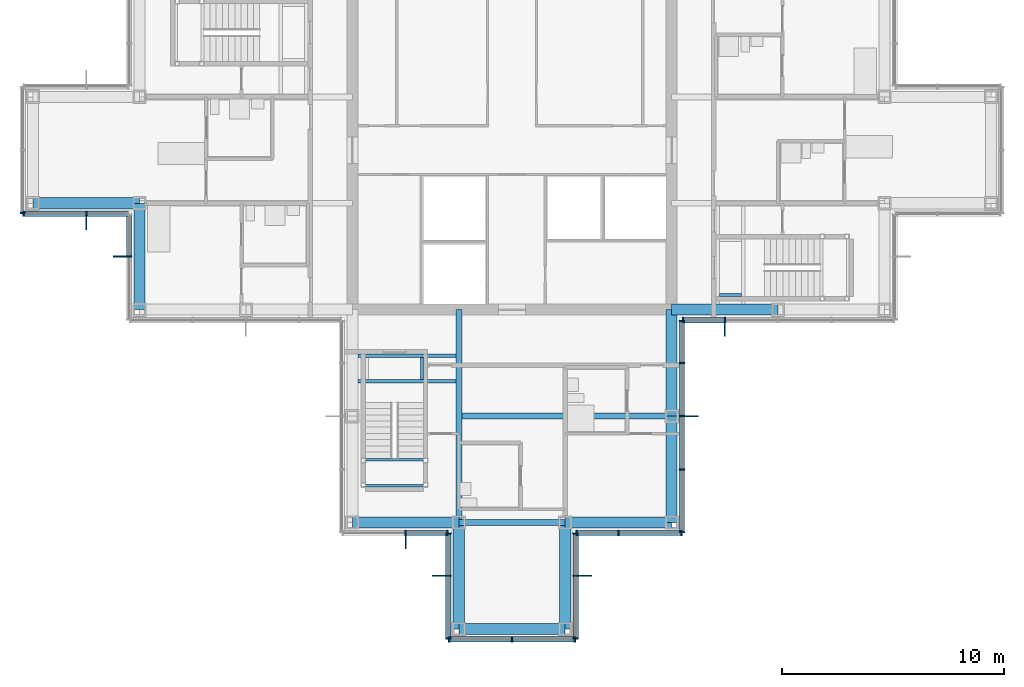
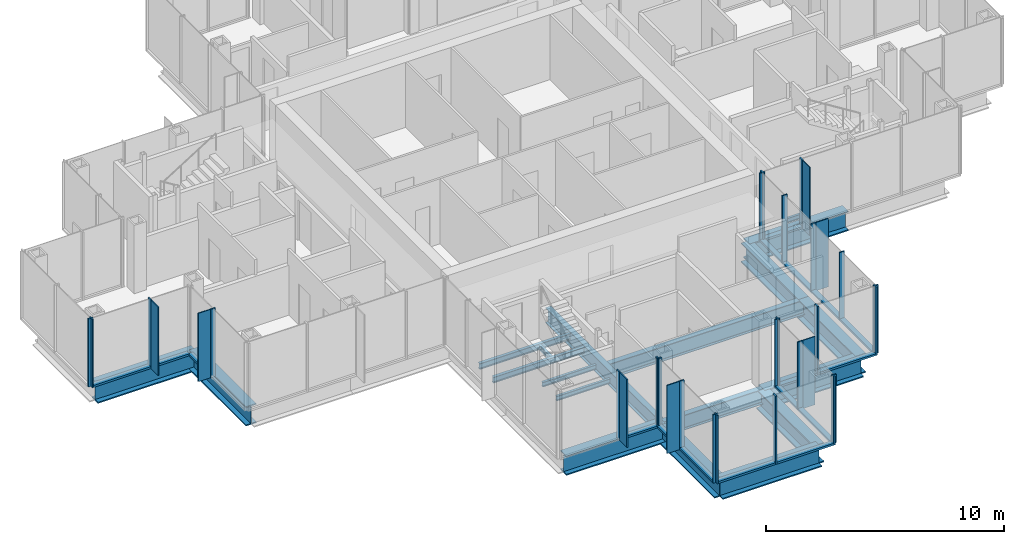
# One storey, part 6 of 17: 49 members, 19 beams, 10 elements without a shape of their own.
"""IFC4 building model written with IfcOpenShell, lengths in metres."""

from ifc_helpers import new_model, si_unit, direction, frame, origin, origin_2d, place, context, subcontext, project, spatial, rectangle, i_section, extrude, material, material_profile, profile_set, type_object, element, aggregate, save


model = new_model("IFC4")

# Units and contexts
model_context = context("Model", 3, precision=1e-05, world=origin(), true_north=direction((0.0, 1.0)))
body_context = subcontext(model_context, "Body", "Model", "MODEL_VIEW")
ifc_project = project(units=[si_unit("LENGTHUNIT", "METRE"), si_unit("AREAUNIT", "SQUARE_METRE"), si_unit("VOLUMEUNIT", "CUBIC_METRE"), si_unit("PLANEANGLEUNIT", "RADIAN"), si_unit("MASSUNIT", "GRAM", prefix="KILO")], contexts=[model_context])

# Site, building, storey
site_placement = place(None, origin())
site = spatial("IfcSite", under=ifc_project, at=site_placement, CompositionType="ELEMENT")
building_placement = place(site_placement, origin())
building = spatial("IfcBuilding", under=site, at=building_placement, Name="Kvirike Care Tower", CompositionType="ELEMENT")
storey_placement = place(building_placement, frame((0.0, 0.0, 172.5)))
storey = spatial("IfcBuildingStorey", under=building, at=storey_placement, Name="L47", CompositionType="ELEMENT", Elevation=172.5)

# Curtain wall, member
ifc_material_1 = material(Name="Anodised aluminium stick system", Category="aluminium")
curtain_wall_type = type_object("IfcCurtainWallType", Name="CW-C STICK CURTAIN WALL", PredefinedType="NOTDEFINED", material=ifc_material_1)
curtain_wall_1_placement = place(storey_placement, origin())
curtain_wall_1 = element("IfcCurtainWall", 1, at=curtain_wall_1_placement, inside=storey, type_object=curtain_wall_type, Name="Curtain wall L47 face 1", PredefinedType="NOTDEFINED")
ifc_material_2 = material(Name="Bronze anodised aluminium fin", Category="aluminium")
ifc_material_profile_1 = material_profile(ifc_material_2, rectangle(XDim=0.050048828125, YDim=0.60009765625, at=origin_2d()), Name="BRONZE FIN 600")
ifc_profile_set_1 = profile_set([ifc_material_profile_1], Name="Bronze anodised aluminium fin")
member_type_1 = type_object("IfcMemberType", Name="BRONZE FIN 600", PredefinedType="USERDEFINED", material=ifc_profile_set_1)
member_1_placement = place(storey_placement, frame((31.199951171875, 27.909912109375, 0.0), z_axis=(0.0, 0.0, 1.0), x_axis=(1.0, 0.0, 0.0)))
member_1 = element("IfcMember", 2, at=member_1_placement, type_object=member_type_1, Name="Bronze fin L47 face 1.2", ObjectType="FIN", PredefinedType="USERDEFINED", context=body_context, shape_type="SweptSolid", body=[
    extrude(rectangle(XDim=0.050048828125, YDim=0.60009765625, at=origin_2d()), origin(), (0.0, 0.0, 1.0), 3.5),
])

curtain_wall_2_placement = place(storey_placement, origin())
curtain_wall_2 = element("IfcCurtainWall", 3, at=curtain_wall_2_placement, inside=storey, type_object=curtain_wall_type, Name="Curtain wall L47 face 19", PredefinedType="NOTDEFINED")
member_2_placement = place(storey_placement, frame((2.39990234375, 32.7099609375, 0.0), z_axis=(0.0, 0.0, 1.0), x_axis=(1.0, 0.0, 0.0)))
member_2 = element("IfcMember", 4, at=member_2_placement, type_object=member_type_1, Name="Bronze fin L47 face 19.2", ObjectType="FIN", PredefinedType="USERDEFINED", context=body_context, shape_type="SweptSolid", body=[
    extrude(rectangle(XDim=0.050048828125, YDim=0.60009765625, at=origin_2d()), origin(), (0.0, 0.0, 1.0), 3.5),
])

curtain_wall_3_placement = place(storey_placement, origin())
curtain_wall_3 = element("IfcCurtainWall", 5, at=curtain_wall_3_placement, inside=storey, type_object=curtain_wall_type, Name="Curtain wall L47 face 20", PredefinedType="NOTDEFINED")
member_3_placement = place(storey_placement, frame((3.909912109375, 31.199951171875, 0.0), z_axis=(0.0, 0.0, 1.0), x_axis=(0.0, -1.0, 0.0)))
member_3 = element("IfcMember", 6, at=member_3_placement, type_object=member_type_1, Name="Bronze fin L47 face 20.2", ObjectType="FIN", PredefinedType="USERDEFINED", context=body_context, shape_type="SweptSolid", body=[
    extrude(rectangle(XDim=0.050048828125, YDim=0.60009765625, at=origin_2d()), origin(), (0.0, 0.0, 1.0), 3.5),
])

curtain_wall_4_placement = place(storey_placement, origin())
curtain_wall_4 = element("IfcCurtainWall", 7, at=curtain_wall_4_placement, inside=storey, type_object=curtain_wall_type, Name="Curtain wall L47 face 23", PredefinedType="NOTDEFINED")
member_4_placement = place(storey_placement, frame((16.800048828125, 18.31005859375, 0.0), z_axis=(0.0, 0.0, 1.0), x_axis=(1.0, 0.0, 0.0)))
member_4 = element("IfcMember", 8, at=member_4_placement, type_object=member_type_1, Name="Bronze fin L47 face 23.2", ObjectType="FIN", PredefinedType="USERDEFINED", context=body_context, shape_type="SweptSolid", body=[
    extrude(rectangle(XDim=0.050048828125, YDim=0.60009765625, at=origin_2d()), origin(), (0.0, 0.0, 1.0), 3.5),
])

curtain_wall_5_placement = place(storey_placement, origin())
curtain_wall_5 = element("IfcCurtainWall", 9, at=curtain_wall_5_placement, inside=storey, type_object=curtain_wall_type, Name="Curtain wall L47 face 24", PredefinedType="NOTDEFINED")
member_5_placement = place(storey_placement, frame((18.31005859375, 16.800048828125, 0.0), z_axis=(0.0, 0.0, 1.0), x_axis=(0.0, -1.0, 0.0)))
member_5 = element("IfcMember", 10, at=member_5_placement, type_object=member_type_1, Name="Bronze fin L47 face 24.2", ObjectType="FIN", PredefinedType="USERDEFINED", context=body_context, shape_type="SweptSolid", body=[
    extrude(rectangle(XDim=0.050048828125, YDim=0.60009765625, at=origin_2d()), origin(), (0.0, 0.0, 1.0), 3.5),
])

curtain_wall_6_placement = place(storey_placement, origin())
curtain_wall_6 = element("IfcCurtainWall", 11, at=curtain_wall_6_placement, inside=storey, type_object=curtain_wall_type, Name="Curtain wall L47 face 26", PredefinedType="NOTDEFINED")
member_6_placement = place(storey_placement, frame((24.889892578125, 16.800048828125, 0.0), z_axis=(0.0, 0.0, 1.0), x_axis=(0.0, 1.0, 0.0)))
member_6 = element("IfcMember", 12, at=member_6_placement, type_object=member_type_1, Name="Bronze fin L47 face 26.2", ObjectType="FIN", PredefinedType="USERDEFINED", context=body_context, shape_type="SweptSolid", body=[
    extrude(rectangle(XDim=0.050048828125, YDim=0.60009765625, at=origin_2d()), origin(), (0.0, 0.0, 1.0), 3.5),
])

curtain_wall_7_placement = place(storey_placement, origin())
curtain_wall_7 = element("IfcCurtainWall", 13, at=curtain_wall_7_placement, inside=storey, type_object=curtain_wall_type, Name="Curtain wall L47 face 28", PredefinedType="NOTDEFINED")
member_7_placement = place(storey_placement, frame((29.68994140625, 24.0, 0.0), z_axis=(0.0, 0.0, 1.0), x_axis=(0.0, 1.0, 0.0)))
member_7 = element("IfcMember", 14, at=member_7_placement, type_object=member_type_1, Name="Bronze fin L47 face 28.3", ObjectType="FIN", PredefinedType="USERDEFINED", context=body_context, shape_type="SweptSolid", body=[
    extrude(rectangle(XDim=0.050048828125, YDim=0.60009765625, at=origin_2d()), origin(), (0.0, 0.0, 1.0), 3.5),
])

# Member
ifc_material_3 = material(Name="Bronze anodised aluminium mullion", Category="aluminium")
ifc_material_profile_2 = material_profile(ifc_material_3, rectangle(XDim=0.06494140625, YDim=0.239990234375, at=origin_2d()), Name="CW-C MULLION 65x240")
ifc_profile_set_2 = profile_set([ifc_material_profile_2], Name="Bronze anodised aluminium mullion")
member_type_2 = type_object("IfcMemberType", Name="CW-C MULLION 65x240", PredefinedType="MULLION", material=ifc_profile_set_2)
member_8_placement = place(storey_placement, frame((29.302490234375, 28.330078125, 0.0), z_axis=(0.0, 0.0, 1.0), x_axis=(1.0, 0.0, 0.0)))
member_8 = element("IfcMember", 15, at=member_8_placement, type_object=member_type_2, Name="CW-C mullion L47 face 1.1", PredefinedType="MULLION", context=body_context, shape_type="SweptSolid", body=[
    extrude(rectangle(XDim=0.06494140625, YDim=0.239990234375, at=origin_2d()), origin(), (0.0, 0.0, 1.0), 3.5),
])

member_9_placement = place(storey_placement, frame((31.199951171875, 28.330078125, 0.0), z_axis=(0.0, 0.0, 1.0), x_axis=(1.0, 0.0, 0.0)))
member_9 = element("IfcMember", 16, at=member_9_placement, type_object=member_type_2, Name="CW-C mullion L47 face 1.2", PredefinedType="MULLION", context=body_context, shape_type="SweptSolid", body=[
    extrude(rectangle(XDim=0.06494140625, YDim=0.239990234375, at=origin_2d()), origin(), (0.0, 0.0, 1.0), 3.5),
])

# Curtain wall, member
curtain_wall_8_placement = place(storey_placement, origin())
curtain_wall_8 = element("IfcCurtainWall", 17, at=curtain_wall_8_placement, inside=storey, type_object=curtain_wall_type, Name="Curtain wall L47 face 18", PredefinedType="NOTDEFINED")
member_10_placement = place(storey_placement, frame((-0.469970703125, 33.16259765625, 0.0), z_axis=(0.0, 0.0, 1.0), x_axis=(0.0, -1.0, 0.0)))
member_10 = element("IfcMember", 18, at=member_10_placement, type_object=member_type_2, Name="CW-C mullion L47 face 18.3", PredefinedType="MULLION", context=body_context, shape_type="SweptSolid", body=[
    extrude(rectangle(XDim=0.06494140625, YDim=0.239990234375, at=origin_2d()), origin(), (0.0, 0.0, 1.0), 3.5),
])
aggregate(curtain_wall_8, [member_10])

# Member
member_11_placement = place(storey_placement, frame((-0.4375, 33.1298828125, 0.0), z_axis=(0.0, 0.0, 1.0), x_axis=(1.0, 0.0, 0.0)))
member_11 = element("IfcMember", 19, at=member_11_placement, type_object=member_type_2, Name="CW-C mullion L47 face 19.1", PredefinedType="MULLION", context=body_context, shape_type="SweptSolid", body=[
    extrude(rectangle(XDim=0.06494140625, YDim=0.239990234375, at=origin_2d()), origin(), (0.0, 0.0, 1.0), 3.5),
])

member_12_placement = place(storey_placement, frame((2.39990234375, 33.1298828125, 0.0), z_axis=(0.0, 0.0, 1.0), x_axis=(1.0, 0.0, 0.0)))
member_12 = element("IfcMember", 20, at=member_12_placement, type_object=member_type_2, Name="CW-C mullion L47 face 19.2", PredefinedType="MULLION", context=body_context, shape_type="SweptSolid", body=[
    extrude(rectangle(XDim=0.06494140625, YDim=0.239990234375, at=origin_2d()), origin(), (0.0, 0.0, 1.0), 3.5),
])

member_13_placement = place(storey_placement, frame((4.330078125, 31.199951171875, 0.0), z_axis=(0.0, 0.0, 1.0), x_axis=(0.0, -1.0, 0.0)))
member_13 = element("IfcMember", 21, at=member_13_placement, type_object=member_type_2, Name="CW-C mullion L47 face 20.2", PredefinedType="MULLION", context=body_context, shape_type="SweptSolid", body=[
    extrude(rectangle(XDim=0.06494140625, YDim=0.239990234375, at=origin_2d()), origin(), (0.0, 0.0, 1.0), 3.5),
])

member_14_placement = place(storey_placement, frame((16.800048828125, 18.72998046875, 0.0), z_axis=(0.0, 0.0, 1.0), x_axis=(1.0, 0.0, 0.0)))
member_14 = element("IfcMember", 22, at=member_14_placement, type_object=member_type_2, Name="CW-C mullion L47 face 23.2", PredefinedType="MULLION", context=body_context, shape_type="SweptSolid", body=[
    extrude(rectangle(XDim=0.06494140625, YDim=0.239990234375, at=origin_2d()), origin(), (0.0, 0.0, 1.0), 3.5),
])

member_15_placement = place(storey_placement, frame((18.697509765625, 18.72998046875, 0.0), z_axis=(0.0, 0.0, 1.0), x_axis=(1.0, 0.0, 0.0)))
member_15 = element("IfcMember", 23, at=member_15_placement, type_object=member_type_2, Name="CW-C mullion L47 face 23.3", PredefinedType="MULLION", context=body_context, shape_type="SweptSolid", body=[
    extrude(rectangle(XDim=0.06494140625, YDim=0.239990234375, at=origin_2d()), origin(), (0.0, 0.0, 1.0), 3.5),
])

member_16_placement = place(storey_placement, frame((18.72998046875, 18.697509765625, 0.0), z_axis=(0.0, 0.0, 1.0), x_axis=(0.0, -1.0, 0.0)))
member_16 = element("IfcMember", 24, at=member_16_placement, type_object=member_type_2, Name="CW-C mullion L47 face 24.1", PredefinedType="MULLION", context=body_context, shape_type="SweptSolid", body=[
    extrude(rectangle(XDim=0.06494140625, YDim=0.239990234375, at=origin_2d()), origin(), (0.0, 0.0, 1.0), 3.5),
])

member_17_placement = place(storey_placement, frame((18.72998046875, 16.800048828125, 0.0), z_axis=(0.0, 0.0, 1.0), x_axis=(0.0, -1.0, 0.0)))
member_17 = element("IfcMember", 25, at=member_17_placement, type_object=member_type_2, Name="CW-C mullion L47 face 24.2", PredefinedType="MULLION", context=body_context, shape_type="SweptSolid", body=[
    extrude(rectangle(XDim=0.06494140625, YDim=0.239990234375, at=origin_2d()), origin(), (0.0, 0.0, 1.0), 3.5),
])

member_18_placement = place(storey_placement, frame((18.72998046875, 13.96240234375, 0.0), z_axis=(0.0, 0.0, 1.0), x_axis=(0.0, -1.0, 0.0)))
member_18 = element("IfcMember", 26, at=member_18_placement, type_object=member_type_2, Name="CW-C mullion L47 face 24.3", PredefinedType="MULLION", context=body_context, shape_type="SweptSolid", body=[
    extrude(rectangle(XDim=0.06494140625, YDim=0.239990234375, at=origin_2d()), origin(), (0.0, 0.0, 1.0), 3.5),
])

# Curtain wall, members
curtain_wall_9_placement = place(storey_placement, origin())
curtain_wall_9 = element("IfcCurtainWall", 27, at=curtain_wall_9_placement, inside=storey, type_object=curtain_wall_type, Name="Curtain wall L47 face 25", PredefinedType="NOTDEFINED")
member_19_placement = place(storey_placement, frame((18.762451171875, 13.929931640625, 0.0), z_axis=(0.0, 0.0, 1.0), x_axis=(1.0, 0.0, 0.0)))
member_19 = element("IfcMember", 28, at=member_19_placement, type_object=member_type_2, Name="CW-C mullion L47 face 25.1", PredefinedType="MULLION", context=body_context, shape_type="SweptSolid", body=[
    extrude(rectangle(XDim=0.06494140625, YDim=0.239990234375, at=origin_2d()), origin(), (0.0, 0.0, 1.0), 3.5),
])
member_20_placement = place(storey_placement, frame((21.60009765625, 13.929931640625, 0.0), z_axis=(0.0, 0.0, 1.0), x_axis=(1.0, 0.0, 0.0)))
member_20 = element("IfcMember", 29, at=member_20_placement, type_object=member_type_2, Name="CW-C mullion L47 face 25.2", PredefinedType="MULLION", context=body_context, shape_type="SweptSolid", body=[
    extrude(rectangle(XDim=0.06494140625, YDim=0.239990234375, at=origin_2d()), origin(), (0.0, 0.0, 1.0), 3.5),
])
member_21_placement = place(storey_placement, frame((24.4375, 13.929931640625, 0.0), z_axis=(0.0, 0.0, 1.0), x_axis=(1.0, 0.0, 0.0)))
member_21 = element("IfcMember", 30, at=member_21_placement, type_object=member_type_2, Name="CW-C mullion L47 face 25.3", PredefinedType="MULLION", context=body_context, shape_type="SweptSolid", body=[
    extrude(rectangle(XDim=0.06494140625, YDim=0.239990234375, at=origin_2d()), origin(), (0.0, 0.0, 1.0), 3.5),
])

# Member
member_22_placement = place(storey_placement, frame((24.469970703125, 13.96240234375, 0.0), z_axis=(0.0, 0.0, 1.0), x_axis=(0.0, 1.0, 0.0)))
member_22 = element("IfcMember", 31, at=member_22_placement, type_object=member_type_2, Name="CW-C mullion L47 face 26.1", PredefinedType="MULLION", context=body_context, shape_type="SweptSolid", body=[
    extrude(rectangle(XDim=0.06494140625, YDim=0.239990234375, at=origin_2d()), origin(), (0.0, 0.0, 1.0), 3.5),
])

member_23_placement = place(storey_placement, frame((24.469970703125, 16.800048828125, 0.0), z_axis=(0.0, 0.0, 1.0), x_axis=(0.0, 1.0, 0.0)))
member_23 = element("IfcMember", 32, at=member_23_placement, type_object=member_type_2, Name="CW-C mullion L47 face 26.2", PredefinedType="MULLION", context=body_context, shape_type="SweptSolid", body=[
    extrude(rectangle(XDim=0.06494140625, YDim=0.239990234375, at=origin_2d()), origin(), (0.0, 0.0, 1.0), 3.5),
])

member_24_placement = place(storey_placement, frame((24.469970703125, 18.697509765625, 0.0), z_axis=(0.0, 0.0, 1.0), x_axis=(0.0, 1.0, 0.0)))
member_24 = element("IfcMember", 33, at=member_24_placement, type_object=member_type_2, Name="CW-C mullion L47 face 26.3", PredefinedType="MULLION", context=body_context, shape_type="SweptSolid", body=[
    extrude(rectangle(XDim=0.06494140625, YDim=0.239990234375, at=origin_2d()), origin(), (0.0, 0.0, 1.0), 3.5),
])

# Curtain wall, members
curtain_wall_10_placement = place(storey_placement, origin())
curtain_wall_10 = element("IfcCurtainWall", 34, at=curtain_wall_10_placement, inside=storey, type_object=curtain_wall_type, Name="Curtain wall L47 face 27", PredefinedType="NOTDEFINED")
member_25_placement = place(storey_placement, frame((24.50244140625, 18.72998046875, 0.0), z_axis=(0.0, 0.0, 1.0), x_axis=(1.0, 0.0, 0.0)))
member_25 = element("IfcMember", 35, at=member_25_placement, type_object=member_type_2, Name="CW-C mullion L47 face 27.1", PredefinedType="MULLION", context=body_context, shape_type="SweptSolid", body=[
    extrude(rectangle(XDim=0.06494140625, YDim=0.239990234375, at=origin_2d()), origin(), (0.0, 0.0, 1.0), 3.5),
])
member_26_placement = place(storey_placement, frame((26.39990234375, 18.72998046875, 0.0), z_axis=(0.0, 0.0, 1.0), x_axis=(1.0, 0.0, 0.0)))
member_26 = element("IfcMember", 36, at=member_26_placement, type_object=member_type_2, Name="CW-C mullion L47 face 27.2", PredefinedType="MULLION", context=body_context, shape_type="SweptSolid", body=[
    extrude(rectangle(XDim=0.06494140625, YDim=0.239990234375, at=origin_2d()), origin(), (0.0, 0.0, 1.0), 3.5),
])
member_27_placement = place(storey_placement, frame((29.237548828125, 18.72998046875, 0.0), z_axis=(0.0, 0.0, 1.0), x_axis=(1.0, 0.0, 0.0)))
member_27 = element("IfcMember", 37, at=member_27_placement, type_object=member_type_2, Name="CW-C mullion L47 face 27.3", PredefinedType="MULLION", context=body_context, shape_type="SweptSolid", body=[
    extrude(rectangle(XDim=0.06494140625, YDim=0.239990234375, at=origin_2d()), origin(), (0.0, 0.0, 1.0), 3.5),
])

# Member
member_28_placement = place(storey_placement, frame((29.27001953125, 18.762451171875, 0.0), z_axis=(0.0, 0.0, 1.0), x_axis=(0.0, 1.0, 0.0)))
member_28 = element("IfcMember", 38, at=member_28_placement, type_object=member_type_2, Name="CW-C mullion L47 face 28.1", PredefinedType="MULLION", context=body_context, shape_type="SweptSolid", body=[
    extrude(rectangle(XDim=0.06494140625, YDim=0.239990234375, at=origin_2d()), origin(), (0.0, 0.0, 1.0), 3.5),
])

member_29_placement = place(storey_placement, frame((29.27001953125, 21.60009765625, 0.0), z_axis=(0.0, 0.0, 1.0), x_axis=(0.0, 1.0, 0.0)))
member_29 = element("IfcMember", 39, at=member_29_placement, type_object=member_type_2, Name="CW-C mullion L47 face 28.2", PredefinedType="MULLION", context=body_context, shape_type="SweptSolid", body=[
    extrude(rectangle(XDim=0.06494140625, YDim=0.239990234375, at=origin_2d()), origin(), (0.0, 0.0, 1.0), 3.5),
])

member_30_placement = place(storey_placement, frame((29.27001953125, 24.0, 0.0), z_axis=(0.0, 0.0, 1.0), x_axis=(0.0, 1.0, 0.0)))
member_30 = element("IfcMember", 40, at=member_30_placement, type_object=member_type_2, Name="CW-C mullion L47 face 28.3", PredefinedType="MULLION", context=body_context, shape_type="SweptSolid", body=[
    extrude(rectangle(XDim=0.06494140625, YDim=0.239990234375, at=origin_2d()), origin(), (0.0, 0.0, 1.0), 3.5),
])

member_31_placement = place(storey_placement, frame((29.27001953125, 26.39990234375, 0.0), z_axis=(0.0, 0.0, 1.0), x_axis=(0.0, 1.0, 0.0)))
member_31 = element("IfcMember", 41, at=member_31_placement, type_object=member_type_2, Name="CW-C mullion L47 face 28.4", PredefinedType="MULLION", context=body_context, shape_type="SweptSolid", body=[
    extrude(rectangle(XDim=0.06494140625, YDim=0.239990234375, at=origin_2d()), origin(), (0.0, 0.0, 1.0), 3.5),
])

member_32_placement = place(storey_placement, frame((29.27001953125, 28.297607421875, 0.0), z_axis=(0.0, 0.0, 1.0), x_axis=(0.0, 1.0, 0.0)))
member_32 = element("IfcMember", 42, at=member_32_placement, type_object=member_type_2, Name="CW-C mullion L47 face 28.5", PredefinedType="MULLION", context=body_context, shape_type="SweptSolid", body=[
    extrude(rectangle(XDim=0.06494140625, YDim=0.239990234375, at=origin_2d()), origin(), (0.0, 0.0, 1.0), 3.5),
])

ifc_material_4 = material(Name="Bronze anodised aluminium transom", Category="aluminium")
ifc_material_profile_3 = material_profile(ifc_material_4, rectangle(XDim=0.239990234375, YDim=0.10009765625, at=origin_2d()), Name="CW-C TRANSOM 240x100")
ifc_profile_set_3 = profile_set([ifc_material_profile_3], Name="Bronze anodised aluminium transom")
member_type_3 = type_object("IfcMemberType", Name="CW-C TRANSOM 240x100", PredefinedType="USERDEFINED", material=ifc_profile_set_3)
member_33_placement = place(storey_placement, frame((29.3349609375, 28.330078125, 0.050048828125), z_axis=(1.0, 0.0, 0.0), x_axis=(0.0, 1.0, 0.0)))
member_33 = element("IfcMember", 43, at=member_33_placement, type_object=member_type_3, Name="CW-C sill transom L47 face 1.1", ObjectType="TRANSOM", PredefinedType="USERDEFINED", context=body_context, shape_type="SweptSolid", body=[
    extrude(rectangle(XDim=0.239990234375, YDim=0.10009765625, at=origin_2d()), origin(), (0.0, 0.0, 1.0), 1.83251953125),
])

aggregate(curtain_wall_1, [member_8, member_9, member_1, member_33])

member_34_placement = place(storey_placement, frame((-0.405029296875, 33.1298828125, 0.050048828125), z_axis=(1.0, 0.0, 0.0), x_axis=(0.0, 1.0, 0.0)))
member_34 = element("IfcMember", 44, at=member_34_placement, type_object=member_type_3, Name="CW-C sill transom L47 face 19.1", ObjectType="TRANSOM", PredefinedType="USERDEFINED", context=body_context, shape_type="SweptSolid", body=[
    extrude(rectangle(XDim=0.239990234375, YDim=0.10009765625, at=origin_2d()), origin(), (0.0, 0.0, 1.0), 2.7724609375),
])

member_35_placement = place(storey_placement, frame((2.4326171875, 33.1298828125, 0.050048828125), z_axis=(1.0, 0.0, 0.0), x_axis=(0.0, 1.0, 0.0)))
member_35 = element("IfcMember", 45, at=member_35_placement, type_object=member_type_3, Name="CW-C sill transom L47 face 19.2", ObjectType="TRANSOM", PredefinedType="USERDEFINED", context=body_context, shape_type="SweptSolid", body=[
    extrude(rectangle(XDim=0.239990234375, YDim=0.10009765625, at=origin_2d()), origin(), (0.0, 0.0, 1.0), 1.832275390625),
])

aggregate(curtain_wall_2, [member_11, member_12, member_2, member_34, member_35])

member_36_placement = place(storey_placement, frame((4.330078125, 33.06494140625, 0.050048828125), z_axis=(0.0, -1.0, 0.0), x_axis=(1.0, 0.0, 0.0)))
member_36 = element("IfcMember", 46, at=member_36_placement, type_object=member_type_3, Name="CW-C sill transom L47 face 20.1", ObjectType="TRANSOM", PredefinedType="USERDEFINED", context=body_context, shape_type="SweptSolid", body=[
    extrude(rectangle(XDim=0.239990234375, YDim=0.10009765625, at=origin_2d()), origin(), (0.0, 0.0, 1.0), 1.83251953125),
])

aggregate(curtain_wall_3, [member_13, member_3, member_36])

member_37_placement = place(storey_placement, frame((16.83251953125, 18.72998046875, 0.050048828125), z_axis=(1.0, 0.0, 0.0), x_axis=(0.0, 1.0, 0.0)))
member_37 = element("IfcMember", 47, at=member_37_placement, type_object=member_type_3, Name="CW-C sill transom L47 face 23.2", ObjectType="TRANSOM", PredefinedType="USERDEFINED", context=body_context, shape_type="SweptSolid", body=[
    extrude(rectangle(XDim=0.239990234375, YDim=0.10009765625, at=origin_2d()), origin(), (0.0, 0.0, 1.0), 1.83251953125),
])

aggregate(curtain_wall_4, [member_14, member_4, member_15, member_37])

member_38_placement = place(storey_placement, frame((18.72998046875, 18.6650390625, 0.050048828125), z_axis=(0.0, -1.0, 0.0), x_axis=(1.0, 0.0, 0.0)))
member_38 = element("IfcMember", 48, at=member_38_placement, type_object=member_type_3, Name="CW-C sill transom L47 face 24.1", ObjectType="TRANSOM", PredefinedType="USERDEFINED", context=body_context, shape_type="SweptSolid", body=[
    extrude(rectangle(XDim=0.239990234375, YDim=0.10009765625, at=origin_2d()), origin(), (0.0, 0.0, 1.0), 1.83251953125),
])

member_39_placement = place(storey_placement, frame((18.72998046875, 16.767578125, 0.050048828125), z_axis=(0.0, -1.0, 0.0), x_axis=(1.0, 0.0, 0.0)))
member_39 = element("IfcMember", 49, at=member_39_placement, type_object=member_type_3, Name="CW-C sill transom L47 face 24.2", ObjectType="TRANSOM", PredefinedType="USERDEFINED", context=body_context, shape_type="SweptSolid", body=[
    extrude(rectangle(XDim=0.239990234375, YDim=0.10009765625, at=origin_2d()), origin(), (0.0, 0.0, 1.0), 2.7724609375),
])

aggregate(curtain_wall_5, [member_16, member_17, member_5, member_18, member_38, member_39])

member_40_placement = place(storey_placement, frame((18.794921875, 13.929931640625, 0.050048828125), z_axis=(1.0, 0.0, 0.0), x_axis=(0.0, 1.0, 0.0)))
member_40 = element("IfcMember", 50, at=member_40_placement, type_object=member_type_3, Name="CW-C sill transom L47 face 25.1", ObjectType="TRANSOM", PredefinedType="USERDEFINED", context=body_context, shape_type="SweptSolid", body=[
    extrude(rectangle(XDim=0.239990234375, YDim=0.10009765625, at=origin_2d()), origin(), (0.0, 0.0, 1.0), 2.7724609375),
])

member_41_placement = place(storey_placement, frame((21.632568359375, 13.929931640625, 0.050048828125), z_axis=(1.0, 0.0, 0.0), x_axis=(0.0, 1.0, 0.0)))
member_41 = element("IfcMember", 51, at=member_41_placement, type_object=member_type_3, Name="CW-C sill transom L47 face 25.2", ObjectType="TRANSOM", PredefinedType="USERDEFINED", context=body_context, shape_type="SweptSolid", body=[
    extrude(rectangle(XDim=0.239990234375, YDim=0.10009765625, at=origin_2d()), origin(), (0.0, 0.0, 1.0), 2.7724609375),
])

aggregate(curtain_wall_9, [member_19, member_20, member_21, member_40, member_41])

member_42_placement = place(storey_placement, frame((24.469970703125, 13.9951171875, 0.050048828125), z_axis=(0.0, 1.0, 0.0), x_axis=(-1.0, 0.0, 0.0)))
member_42 = element("IfcMember", 52, at=member_42_placement, type_object=member_type_3, Name="CW-C sill transom L47 face 26.1", ObjectType="TRANSOM", PredefinedType="USERDEFINED", context=body_context, shape_type="SweptSolid", body=[
    extrude(rectangle(XDim=0.239990234375, YDim=0.10009765625, at=origin_2d()), origin(), (0.0, 0.0, 1.0), 2.7724609375),
])

member_43_placement = place(storey_placement, frame((24.469970703125, 16.83251953125, 0.050048828125), z_axis=(0.0, 1.0, 0.0), x_axis=(-1.0, 0.0, 0.0)))
member_43 = element("IfcMember", 53, at=member_43_placement, type_object=member_type_3, Name="CW-C sill transom L47 face 26.2", ObjectType="TRANSOM", PredefinedType="USERDEFINED", context=body_context, shape_type="SweptSolid", body=[
    extrude(rectangle(XDim=0.239990234375, YDim=0.10009765625, at=origin_2d()), origin(), (0.0, 0.0, 1.0), 1.83251953125),
])

aggregate(curtain_wall_6, [member_22, member_23, member_6, member_24, member_42, member_43])

member_44_placement = place(storey_placement, frame((24.534912109375, 18.72998046875, 0.050048828125), z_axis=(1.0, 0.0, 0.0), x_axis=(0.0, 1.0, 0.0)))
member_44 = element("IfcMember", 54, at=member_44_placement, type_object=member_type_3, Name="CW-C sill transom L47 face 27.1", ObjectType="TRANSOM", PredefinedType="USERDEFINED", context=body_context, shape_type="SweptSolid", body=[
    extrude(rectangle(XDim=0.239990234375, YDim=0.10009765625, at=origin_2d()), origin(), (0.0, 0.0, 1.0), 1.83251953125),
])

member_45_placement = place(storey_placement, frame((26.4326171875, 18.72998046875, 0.050048828125), z_axis=(1.0, 0.0, 0.0), x_axis=(0.0, 1.0, 0.0)))
member_45 = element("IfcMember", 55, at=member_45_placement, type_object=member_type_3, Name="CW-C sill transom L47 face 27.2", ObjectType="TRANSOM", PredefinedType="USERDEFINED", context=body_context, shape_type="SweptSolid", body=[
    extrude(rectangle(XDim=0.239990234375, YDim=0.10009765625, at=origin_2d()), origin(), (0.0, 0.0, 1.0), 2.7724609375),
])

aggregate(curtain_wall_10, [member_25, member_26, member_27, member_44, member_45])

member_46_placement = place(storey_placement, frame((29.27001953125, 18.794921875, 0.050048828125), z_axis=(0.0, 1.0, 0.0), x_axis=(-1.0, 0.0, 0.0)))
member_46 = element("IfcMember", 56, at=member_46_placement, type_object=member_type_3, Name="CW-C sill transom L47 face 28.1", ObjectType="TRANSOM", PredefinedType="USERDEFINED", context=body_context, shape_type="SweptSolid", body=[
    extrude(rectangle(XDim=0.239990234375, YDim=0.10009765625, at=origin_2d()), origin(), (0.0, 0.0, 1.0), 2.7724609375),
])

member_47_placement = place(storey_placement, frame((29.27001953125, 21.632568359375, 0.050048828125), z_axis=(0.0, 1.0, 0.0), x_axis=(-1.0, 0.0, 0.0)))
member_47 = element("IfcMember", 57, at=member_47_placement, type_object=member_type_3, Name="CW-C sill transom L47 face 28.2", ObjectType="TRANSOM", PredefinedType="USERDEFINED", context=body_context, shape_type="SweptSolid", body=[
    extrude(rectangle(XDim=0.239990234375, YDim=0.10009765625, at=origin_2d()), origin(), (0.0, 0.0, 1.0), 2.3349609375),
])

member_48_placement = place(storey_placement, frame((29.27001953125, 24.032470703125, 0.050048828125), z_axis=(0.0, 1.0, 0.0), x_axis=(-1.0, 0.0, 0.0)))
member_48 = element("IfcMember", 58, at=member_48_placement, type_object=member_type_3, Name="CW-C sill transom L47 face 28.3", ObjectType="TRANSOM", PredefinedType="USERDEFINED", context=body_context, shape_type="SweptSolid", body=[
    extrude(rectangle(XDim=0.239990234375, YDim=0.10009765625, at=origin_2d()), origin(), (0.0, 0.0, 1.0), 2.3349609375),
])

member_49_placement = place(storey_placement, frame((29.27001953125, 26.4326171875, 0.050048828125), z_axis=(0.0, 1.0, 0.0), x_axis=(-1.0, 0.0, 0.0)))
member_49 = element("IfcMember", 59, at=member_49_placement, type_object=member_type_3, Name="CW-C sill transom L47 face 28.4", ObjectType="TRANSOM", PredefinedType="USERDEFINED", context=body_context, shape_type="SweptSolid", body=[
    extrude(rectangle(XDim=0.239990234375, YDim=0.10009765625, at=origin_2d()), origin(), (0.0, 0.0, 1.0), 1.832275390625),
])

aggregate(curtain_wall_7, [member_28, member_29, member_30, member_7, member_31, member_32, member_46, member_47, member_48, member_49])

# Beams
ifc_material_5 = material(Name="Steel S355", Category="steel")
ifc_material_profile_4 = material_profile(ifc_material_5, i_section(OverallWidth=0.26806640625, OverallDepth=0.77001953125, WebThickness=0.015625, FlangeThickness=0.025390625, FilletRadius=0.01708984375, at=origin_2d()), Name="IPE 750x196")
ifc_profile_set_4 = profile_set([ifc_material_profile_4], Name="Steel S355")
beam_type_1 = type_object("IfcBeamType", Name="FLOOR BEAM IPE 750x196", PredefinedType="BEAM", material=ifc_profile_set_4)
beam_1_placement = place(storey_placement, frame((19.199951171875, 19.199951171875, -0.554931640625), z_axis=(1.0, 0.0, 0.0), x_axis=(0.0, 1.0, 0.0)))
element("IfcBeam", 60, at=beam_1_placement, inside=storey, type_object=beam_type_1, Name="Floor Beam E7-E8 L47", PredefinedType="BEAM", context=body_context, shape_type="SweptSolid", body=[
    extrude(i_section(OverallWidth=0.26806640625, OverallDepth=0.77001953125, WebThickness=0.015625, FlangeThickness=0.025390625, FilletRadius=0.01708984375, at=origin_2d()), origin(), (0.0, 0.0, 1.0), 4.800048828125),
])
for number, where, z_axis, x_axis, name in (
    (61, (19.199951171875, 24.0, -0.554931640625), (1.0, 0.0, 0.0), (0.0, 1.0, 0.0), "Floor Beam F7-F9 L47"),
    (62, (19.199951171875, 19.199951171875, -0.554931640625), (0.0, 1.0, 0.0), (-1.0, 0.0, 0.0), "Floor Beam E7-G7 L47"),
):
    element("IfcBeam", number, at=place(storey_placement, frame(where, z_axis=z_axis, x_axis=x_axis)), inside=storey, type_object=beam_type_1, Name=name, PredefinedType="BEAM", context=body_context, shape_type="SweptSolid", body=[
        extrude(i_section(OverallWidth=0.26806640625, OverallDepth=0.77001953125, WebThickness=0.015625, FlangeThickness=0.025390625, FilletRadius=0.01708984375, at=origin_2d()), origin(), (0.0, 0.0, 1.0), 9.60009765625),
    ])
ifc_material_6 = material(Name="Steel S355", Category="steel")
ifc_material_profile_5 = material_profile(ifc_material_6, i_section(OverallWidth=0.5, OverallDepth=1.0, WebThickness=0.030029296875, FlangeThickness=0.06005859375, at=origin_2d()), Name="PG 1000x500x30x60")
ifc_profile_set_5 = profile_set([ifc_material_profile_5], Name="Steel S355")
beam_type_2 = type_object("IfcBeamType", Name="SPANDREL PG 1000x500x30x60", PredefinedType="SPANDREL", material=ifc_profile_set_5)
for number, where, z_axis, x_axis, name in (
    (63, (19.199951171875, 14.39990234375, -0.669921875), (1.0, 0.0, 0.0), (0.0, 1.0, 0.0), "Spandrel D7-D8 L47"),
    (64, (14.39990234375, 19.199951171875, -0.669921875), (1.0, 0.0, 0.0), (0.0, 1.0, 0.0), "Spandrel E6-E7 L47"),
    (65, (24.0, 19.199951171875, -0.669921875), (1.0, 0.0, 0.0), (0.0, 1.0, 0.0), "Spandrel E8-E9 L47"),
    (66, (28.800048828125, 28.800048828125, -0.669921875), (1.0, 0.0, 0.0), (0.0, 1.0, 0.0), "Spandrel G9-G10 L47"),
    (67, (0.0, 33.60009765625, -0.669921875), (1.0, 0.0, 0.0), (0.0, 1.0, 0.0), "Spandrel H3-H4 L47"),
    (68, (4.800048828125, 28.800048828125, -0.669921875), (0.0, 1.0, 0.0), (-1.0, 0.0, 0.0), "Spandrel G4-H4 L47"),
    (69, (19.199951171875, 14.39990234375, -0.669921875), (0.0, 1.0, 0.0), (-1.0, 0.0, 0.0), "Spandrel D7-E7 L47"),
    (70, (24.0, 14.39990234375, -0.669921875), (0.0, 1.0, 0.0), (-1.0, 0.0, 0.0), "Spandrel D8-E8 L47"),
    (71, (28.800048828125, 19.199951171875, -0.669921875), (0.0, 1.0, 0.0), (-1.0, 0.0, 0.0), "Spandrel E9-F9 L47"),
    (72, (28.800048828125, 24.0, -0.669921875), (0.0, 1.0, 0.0), (-1.0, 0.0, 0.0), "Spandrel F9-G9 L47"),
):
    element("IfcBeam", number, at=place(storey_placement, frame(where, z_axis=z_axis, x_axis=x_axis)), inside=storey, type_object=beam_type_2, Name=name, PredefinedType="SPANDREL", context=body_context, shape_type="SweptSolid", body=[
        extrude(i_section(OverallWidth=0.5, OverallDepth=1.0, WebThickness=0.030029296875, FlangeThickness=0.06005859375, at=origin_2d()), origin(), (0.0, 0.0, 1.0), 4.800048828125),
    ])
ifc_material_7 = material(Name="Steel S355", Category="steel")
ifc_material_profile_6 = material_profile(ifc_material_7, i_section(OverallWidth=0.1201171875, OverallDepth=0.239990234375, WebThickness=0.006103515625, FlangeThickness=0.009765625, FilletRadius=0.014892578125, at=origin_2d()), Name="IPE 240")
ifc_profile_set_6 = profile_set([ifc_material_profile_6], Name="Steel S355")
beam_type_3 = type_object("IfcBeamType", Name="STAIR LANDING BEAM IPE 240", PredefinedType="BEAM", material=ifc_profile_set_6)
beam_2_placement = place(storey_placement, frame((31.949951171875, 29.4599609375, -0.320068359375), z_axis=(-1.0, 0.0, 0.0), x_axis=(0.0, -1.0, 0.0)))
element("IfcBeam", 73, at=beam_2_placement, inside=storey, type_object=beam_type_3, Name="Stair 2 landing edge beam 1 L47", PredefinedType="BEAM", context=body_context, shape_type="SweptSolid", body=[
    extrude(i_section(OverallWidth=0.1201171875, OverallDepth=0.239990234375, WebThickness=0.006103515625, FlangeThickness=0.009765625, FilletRadius=0.014892578125, at=origin_2d()), origin(), (0.0, 0.0, 1.0), 1.0),
])
for number, where, z_axis, x_axis, name in (
    (74, (15.0, 20.860107421875, 1.429931640625), (1.0, 0.0, 0.0), (0.0, 1.0, 0.0), "Stair 5 landing beam back L47"),
    (75, (15.0, 22.0400390625, 1.429931640625), (1.0, 0.0, 0.0), (0.0, 1.0, 0.0), "Stair 5 landing beam front L47"),
):
    element("IfcBeam", number, at=place(storey_placement, frame(where, z_axis=z_axis, x_axis=x_axis)), inside=storey, type_object=beam_type_3, Name=name, PredefinedType="BEAM", context=body_context, shape_type="SweptSolid", body=[
        extrude(i_section(OverallWidth=0.1201171875, OverallDepth=0.239990234375, WebThickness=0.006103515625, FlangeThickness=0.009765625, FilletRadius=0.014892578125, at=origin_2d()), origin(), (0.0, 0.0, 1.0), 2.60009765625),
    ])
beam_3_placement = place(storey_placement, frame((17.5400390625, 25.64990234375, -0.320068359375), z_axis=(0.0, 1.0, 0.0), x_axis=(-1.0, 0.0, 0.0)))
element("IfcBeam", 76, at=beam_3_placement, inside=storey, type_object=beam_type_3, Name="Stair 5 landing edge beam 2 L47", PredefinedType="BEAM", context=body_context, shape_type="SweptSolid", body=[
    extrude(i_section(OverallWidth=0.1201171875, OverallDepth=0.239990234375, WebThickness=0.006103515625, FlangeThickness=0.009765625, FilletRadius=0.014892578125, at=origin_2d()), origin(), (0.0, 0.0, 1.0), 1.0),
])
ifc_material_8 = material(Name="Steel S355", Category="steel")
ifc_material_profile_7 = material_profile(ifc_material_8, i_section(OverallWidth=0.14990234375, OverallDepth=0.300048828125, WebThickness=0.007080078125, FlangeThickness=0.0107421875, FilletRadius=0.014892578125, at=origin_2d()), Name="IPE 300")
ifc_profile_set_7 = profile_set([ifc_material_profile_7], Name="Steel S355")
beam_type_4 = type_object("IfcBeamType", Name="STAIR TRIMMER IPE 300", PredefinedType="BEAM", material=ifc_profile_set_7)
for number, where, z_axis, x_axis, name in (
    (77, (14.64990234375, 25.574951171875, -0.35009765625), (1.0, 0.0, 0.0), (0.0, 1.0, 0.0), "Stair 5 trimmer 1 L47"),
    (78, (14.64990234375, 26.72509765625, -0.35009765625), (1.0, 0.0, 0.0), (0.0, 1.0, 0.0), "Stair 5 trimmer 2 L47"),
):
    element("IfcBeam", number, at=place(storey_placement, frame(where, z_axis=z_axis, x_axis=x_axis)), inside=storey, type_object=beam_type_4, Name=name, PredefinedType="BEAM", context=body_context, shape_type="SweptSolid", body=[
        extrude(i_section(OverallWidth=0.14990234375, OverallDepth=0.300048828125, WebThickness=0.007080078125, FlangeThickness=0.0107421875, FilletRadius=0.014892578125, at=origin_2d()), origin(), (0.0, 0.0, 1.0), 4.416015625),
    ])

save(model, "model.ifc")
